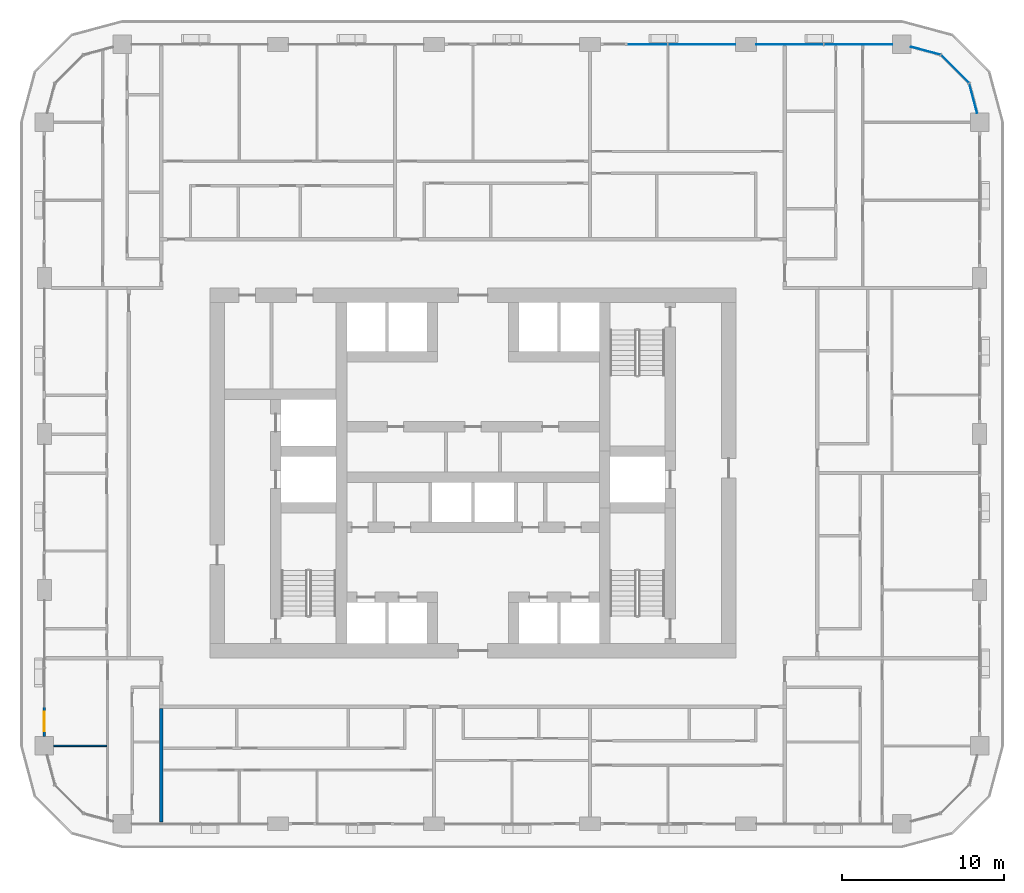
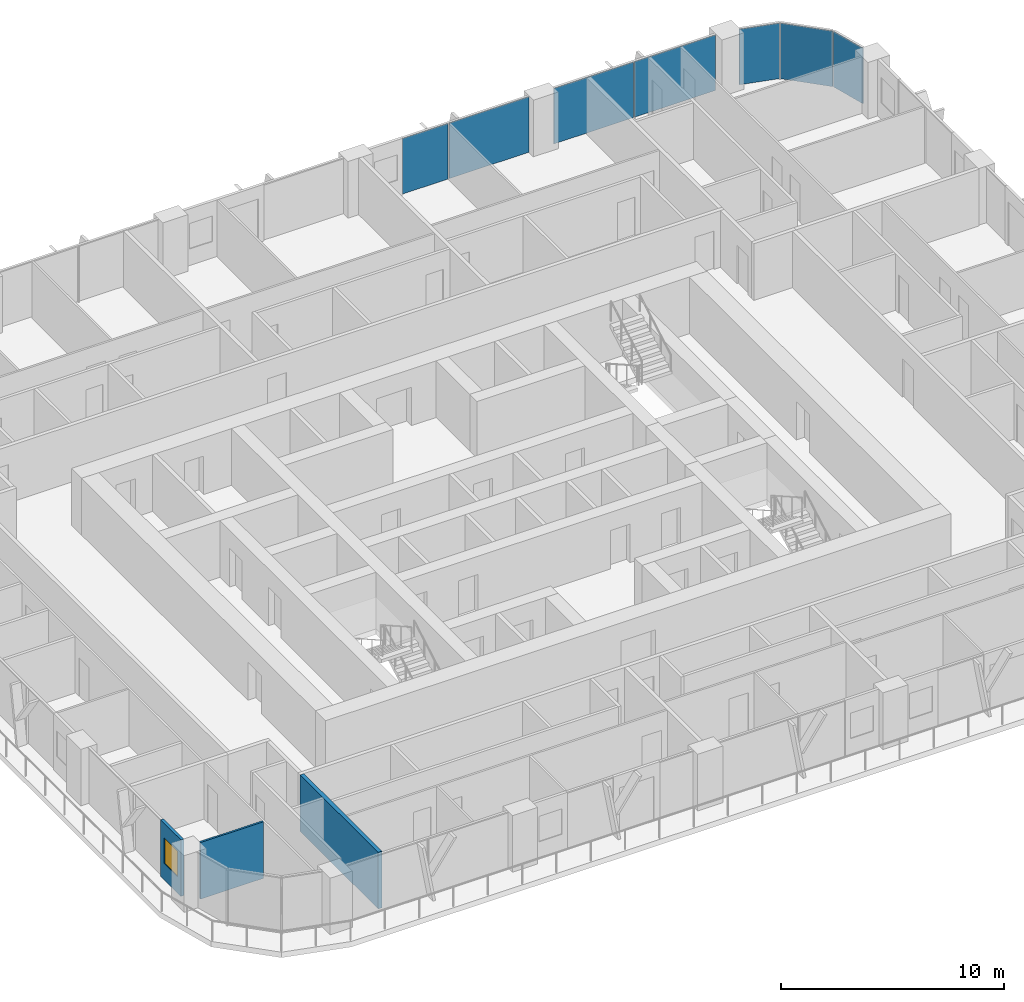
# One storey, part 8 of 21: 7 plates, 3 walls, 1 window, 1 opening, 3 elements without a shape of their own.
"""IFC4 building model written with IfcOpenShell, lengths in metres."""

from ifc_helpers import new_model, si_unit, direction, frame, frame_2d, origin, origin_2d, place, context, subcontext, project, spatial, rectangle, extrude, material, layer, layer_set, type_object, element, fill, aggregate, save


model = new_model("IFC4")

# Units and contexts
model_context = context("Model", 3, precision=1e-05, world=origin(), true_north=direction((0.0, 1.0)))
body_context = subcontext(model_context, "Body", "Model", "MODEL_VIEW")
ifc_project = project(units=[si_unit("LENGTHUNIT", "METRE"), si_unit("AREAUNIT", "SQUARE_METRE"), si_unit("VOLUMEUNIT", "CUBIC_METRE"), si_unit("PLANEANGLEUNIT", "RADIAN"), si_unit("MASSUNIT", "GRAM", prefix="KILO")], contexts=[model_context])

# Site, building, storey
site_placement = place(None, origin())
site = spatial("IfcSite", under=ifc_project, at=site_placement, CompositionType="ELEMENT")
building_placement = place(site_placement, origin())
building = spatial("IfcBuilding", under=site, at=building_placement, Name="Madar Terraces", CompositionType="ELEMENT")
storey_placement = place(building_placement, frame((0.0, 0.0, 110.199951171875)))
storey = spatial("IfcBuildingStorey", under=building, at=storey_placement, Name="L28", CompositionType="ELEMENT", Elevation=110.199951171875)

# Curtain wall, plates
ifc_material_1 = material(Name="Glass, ceramic frit dark grey, with black aluminium frame", Category="aluminium")
ifc_layer_1 = layer(ifc_material_1, 0.199951171875)
ifc_layer_set_1 = layer_set([ifc_layer_1], Name="Facade curtain wall, fritted glass")
curtain_wall_type = type_object("IfcCurtainWallType", Name="Facade curtain wall, fritted glass", PredefinedType="NOTDEFINED", material=ifc_layer_set_1)
curtain_wall_1_placement = place(storey_placement, origin())
curtain_wall_1 = element("IfcCurtainWall", 1, at=curtain_wall_1_placement, inside=storey, type_object=curtain_wall_type, Name="Outer skin curtain wall north bay 1", PredefinedType="NOTDEFINED")
ifc_material_2 = material(Name="Glass, ceramic frit dark grey", Category="glass")
ifc_layer_2 = layer(ifc_material_2, 0.028076171875)
ifc_layer_set_2 = layer_set([ifc_layer_2], Name="Facade glass panel 28")
plate_type = type_object("IfcPlateType", Name="Facade glass panel 28", PredefinedType="CURTAIN_PANEL", material=ifc_layer_set_2)
plate_1_placement = place(storey_placement, frame((54.927490234375, 52.800048828125, 0.0), z_axis=(0.0, 0.0, 1.0), x_axis=(-1.0, 0.0, 0.0)))
plate_1 = element("IfcPlate", 2, at=plate_1_placement, type_object=plate_type, Name="Panel 1", PredefinedType="CURTAIN_PANEL", context=body_context, shape_type="SweptSolid", body=[
    extrude(rectangle(XDim=4.195068359375, YDim=0.028076171875, at=origin_2d()), origin(), (0.0, 0.0, 1.0), 3.0400390625),
])
plate_2_placement = place(storey_placement, frame((50.7099609375, 52.800048828125, 0.0), z_axis=(0.0, 0.0, 1.0), x_axis=(-1.0, 0.0, 0.0)))
plate_2 = element("IfcPlate", 3, at=plate_2_placement, type_object=plate_type, Name="Panel 2", PredefinedType="CURTAIN_PANEL", context=body_context, shape_type="SweptSolid", body=[
    extrude(rectangle(XDim=4.1201171875, YDim=0.028076171875, at=origin_2d()), origin(), (0.0, 0.0, 1.0), 3.0400390625),
])
aggregate(curtain_wall_1, [plate_1, plate_2])

curtain_wall_2_placement = place(storey_placement, origin())
curtain_wall_2 = element("IfcCurtainWall", 4, at=curtain_wall_2_placement, inside=storey, type_object=curtain_wall_type, Name="Outer skin curtain wall north bay 2", PredefinedType="NOTDEFINED")
plate_3_placement = place(storey_placement, frame((45.2900390625, 52.800048828125, 0.0), z_axis=(0.0, 0.0, 1.0), x_axis=(-1.0, 0.0, 0.0)))
plate_3 = element("IfcPlate", 5, at=plate_3_placement, type_object=plate_type, Name="Panel 1", PredefinedType="CURTAIN_PANEL", context=body_context, shape_type="SweptSolid", body=[
    extrude(rectangle(XDim=4.1201171875, YDim=0.028076171875, at=origin_2d()), origin(), (0.0, 0.0, 1.0), 3.0400390625),
])
plate_4_placement = place(storey_placement, frame((41.985107421875, 52.800048828125, 0.0), z_axis=(0.0, 0.0, 1.0), x_axis=(-1.0, 0.0, 0.0)))
plate_4 = element("IfcPlate", 6, at=plate_4_placement, type_object=plate_type, Name="Panel 2", PredefinedType="CURTAIN_PANEL", context=body_context, shape_type="SweptSolid", body=[
    extrude(rectangle(XDim=2.3701171875, YDim=0.028076171875, at=origin_2d()), origin(), (0.0, 0.0, 1.0), 3.0400390625),
])
aggregate(curtain_wall_2, [plate_3, plate_4])

curtain_wall_3_placement = place(storey_placement, origin())
curtain_wall_3 = element("IfcCurtainWall", 7, at=curtain_wall_3_placement, inside=storey, type_object=curtain_wall_type, Name="Outer skin curtain wall north-east corner", PredefinedType="NOTDEFINED")
plate_5_placement = place(storey_placement, frame((62.00537109375, 49.472900390625, 0.0), z_axis=(0.0, 0.0, 1.0), x_axis=(-0.258819021888, 0.965925832509, 0.0)))
plate_5 = element("IfcPlate", 8, at=plate_5_placement, type_object=plate_type, Name="Panel 1", PredefinedType="CURTAIN_PANEL", context=body_context, shape_type="SweptSolid", body=[
    extrude(rectangle(XDim=1.859375, YDim=0.028076171875, at=origin_2d()), origin(), (0.0, 0.0, 1.0), 3.0400390625),
])
plate_6_placement = place(storey_placement, frame((60.87841796875, 51.278564453125, 0.0), z_axis=(0.0, 0.0, 1.0), x_axis=(-0.707106781187, 0.707106781187, 0.0)))
plate_6 = element("IfcPlate", 9, at=plate_6_placement, type_object=plate_type, Name="Panel 2", PredefinedType="CURTAIN_PANEL", context=body_context, shape_type="SweptSolid", body=[
    extrude(rectangle(XDim=2.424560546875, YDim=0.028076171875, at=origin_2d()), origin(), (0.0, 0.0, 1.0), 3.0400390625),
])
plate_7_placement = place(storey_placement, frame((59.072998046875, 52.4052734375, 0.0), z_axis=(0.0, 0.0, 1.0), x_axis=(-0.965925832509, 0.258819021888, 0.0)))
plate_7 = element("IfcPlate", 10, at=plate_7_placement, type_object=plate_type, Name="Panel 3", PredefinedType="CURTAIN_PANEL", context=body_context, shape_type="SweptSolid", body=[
    extrude(rectangle(XDim=1.859375, YDim=0.028076171875, at=origin_2d()), origin(), (0.0, 0.0, 1.0), 3.0400390625),
])
aggregate(curtain_wall_3, [plate_5, plate_6, plate_7])

# Wall, opening, window
ifc_material_3 = material(Name="Aluminium composite panel, black, over insulated backing", Category="aluminium")
ifc_layer_3 = layer(ifc_material_3, 0.14990234375)
ifc_layer_set_3 = layer_set([ifc_layer_3], Name="Facade bay panel 150")
wall_type_1 = type_object("IfcWallType", Name="Facade bay panel 150", PredefinedType="SOLIDWALL", material=ifc_layer_set_3)
wall_1_placement = place(storey_placement, frame((4.800048828125, 12.0, 0.0), z_axis=(0.0, 0.0, 1.0), x_axis=(0.0, -1.0, 0.0)))
wall_1 = element("IfcWall", 11, at=wall_1_placement, inside=storey, type_object=wall_type_1, Name="Facade bay panel", PredefinedType="SOLIDWALL", context=body_context, shape_type="SweptSolid", body=[
    extrude(rectangle(XDim=1.824951171875, YDim=0.14990234375, at=frame_2d((0.91259765625, 0.0))), origin(), (0.0, 0.0, 1.0), 3.10009765625),
])
opening_placement = place(wall_1_placement, frame((0.3125, 0.0, 0.89990234375)))
opening = element("IfcOpeningElement", 12, at=opening_placement, cuts=wall_1, Name="Opening W1", PredefinedType="OPENING", context=body_context, shape_type="SweptSolid", body=[
    extrude(rectangle(XDim=1.199951171875, YDim=1.39990234375, at=frame_2d((0.60009765625, 0.699951171875))), frame((0.0, 0.0849609375, 0.0), z_axis=(0.0, -1.0, 0.0), x_axis=(1.0, 0.0, 0.0)), (0.0, 0.0, 1.0), 0.169921875),
])
ifc_material_4 = material(Name="Glass, clear, with black aluminium frame", Category="aluminium")
window_type = type_object("IfcWindowType", Name="Vent window 1200 x 1400", PartitioningType="SINGLE_PANEL", PredefinedType="WINDOW", material=ifc_material_4)
window_placement = place(opening_placement, origin())
window = element("IfcWindow", 13, at=window_placement, inside=storey, type_object=window_type, Name="Operable vent window", OverallHeight=1.39990234375, OverallWidth=1.199951171875, PartitioningType="SINGLE_PANEL", PredefinedType="WINDOW", context=body_context, shape_type="SweptSolid", body=[
    extrude(rectangle(XDim=1.199951171875, YDim=1.39990234375, at=frame_2d((0.60009765625, 0.699951171875))), frame((0.0, 0.030029296875, 0.0), z_axis=(0.0, -1.0, 0.0), x_axis=(1.0, 0.0, 0.0)), (0.0, 0.0, 1.0), 0.06005859375),
])
fill(opening, window)

# Walls
ifc_material_5 = material(Name="Gypsum board on steel studs", Category="steel")
ifc_layer_4 = layer(ifc_material_5, 0.10009765625)
ifc_layer_set_4 = layer_set([ifc_layer_4], Name="Flat partition 100")
wall_type_2 = type_object("IfcWallType", Name="Flat partition 100", PredefinedType="PARTITIONING", material=ifc_layer_set_4)
wall_2_placement = place(storey_placement, frame((8.64990234375, 9.60009765625, 0.0), z_axis=(0.0, 0.0, 1.0), x_axis=(-1.0, 0.0, 0.0)))
element("IfcWall", 14, at=wall_2_placement, inside=storey, type_object=wall_type_2, Name="Flat partition 100", PredefinedType="PARTITIONING", context=body_context, shape_type="SweptSolid", body=[
    extrude(rectangle(XDim=3.27490234375, YDim=0.10009765625, at=frame_2d((1.637451171875, 0.0))), origin(), (0.0, 0.0, 1.0), 3.10009765625),
])
ifc_material_6 = material(Name="Lightweight blockwork", Category="masonry")
ifc_layer_5 = layer(ifc_material_6, 0.199951171875)
ifc_layer_set_5 = layer_set([ifc_layer_5], Name="Flat party and entrance wall 200")
wall_type_3 = type_object("IfcWallType", Name="Flat party and entrance wall 200", PredefinedType="PARTITIONING", material=ifc_layer_set_5)
wall_3_placement = place(storey_placement, frame((12.0, 4.89990234375, 0.0), z_axis=(0.0, 0.0, 1.0), x_axis=(0.0, 1.0, 0.0)))
element("IfcWall", 15, at=wall_3_placement, inside=storey, type_object=wall_type_3, Name="Flat party and entrance wall 200", PredefinedType="PARTITIONING", context=body_context, shape_type="SweptSolid", body=[
    extrude(rectangle(XDim=7.0, YDim=0.199951171875, at=frame_2d((3.5, 0.0))), origin(), (0.0, 0.0, 1.0), 3.10009765625),
])

save(model, "model.ifc")
